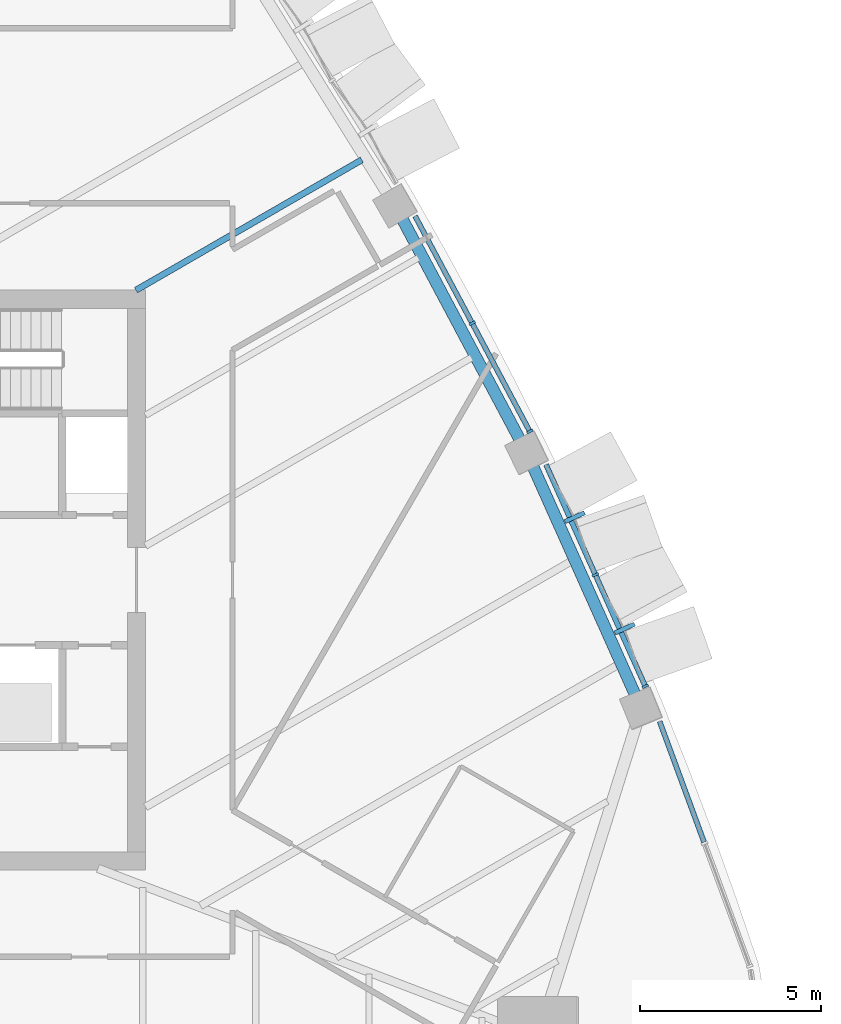
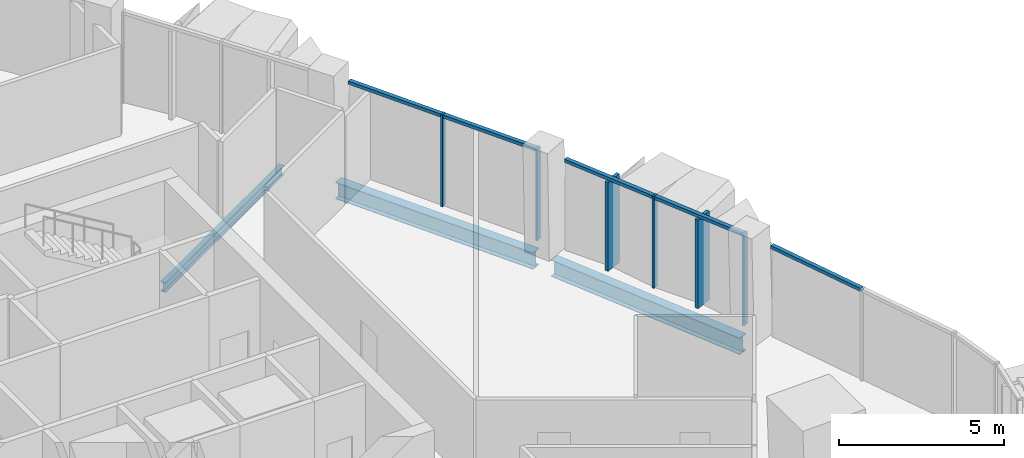
# One storey, part 5 of 18: 11 members, 3 beams, 3 elements without a shape of their own.
"""IFC4 building model written with IfcOpenShell, lengths in metres."""

from ifc_helpers import new_model, si_unit, direction, frame, origin, origin_2d, place, context, subcontext, project, spatial, rectangle, i_section, extrude, material, layer, layer_set, material_profile, profile_set, type_object, element, aggregate, save


model = new_model("IFC4")

# Units and contexts
model_context = context("Model", 3, precision=1e-05, world=origin(), true_north=direction((0.0, 1.0)))
body_context = subcontext(model_context, "Body", "Model", "MODEL_VIEW")
ifc_project = project(units=[si_unit("LENGTHUNIT", "METRE"), si_unit("AREAUNIT", "SQUARE_METRE"), si_unit("VOLUMEUNIT", "CUBIC_METRE"), si_unit("PLANEANGLEUNIT", "RADIAN"), si_unit("MASSUNIT", "GRAM", prefix="KILO")], contexts=[model_context])

# Site, building, storey
site_placement = place(None, origin())
site = spatial("IfcSite", under=ifc_project, at=site_placement, CompositionType="ELEMENT")
building_placement = place(site_placement, origin())
building = spatial("IfcBuilding", under=site, at=building_placement, Name="Sierra Prisma Convention Tower", CompositionType="ELEMENT")
storey_placement = place(building_placement, frame((0.0, 0.0, 247.0)))
storey = spatial("IfcBuildingStorey", under=building, at=storey_placement, Name="L55", CompositionType="ELEMENT", Elevation=247.0)

# Curtain wall, members
ifc_material_1 = material(Name="Aluminium and glass curtain wall", Category="aluminium")
ifc_layer_1 = layer(ifc_material_1, 0.179931640625)
ifc_layer_set_1 = layer_set([ifc_layer_1], Name="CW-2 Faceted crystal curtain wall")
curtain_wall_type_1 = type_object("IfcCurtainWallType", Name="CW-2 Faceted crystal curtain wall", PredefinedType="NOTDEFINED", material=ifc_layer_set_1)
curtain_wall_1_placement = place(storey_placement, origin())
curtain_wall_1 = element("IfcCurtainWall", 1, at=curtain_wall_1_placement, inside=storey, type_object=curtain_wall_type_1, Name="CW-2 NE2 L55", PredefinedType="NOTDEFINED")
ifc_material_2 = material(Name="Aluminium 6063-T6 bronze anodised", Category="aluminium")
ifc_material_profile_1 = material_profile(ifc_material_2, rectangle(XDim=0.1201171875, YDim=0.60009765625, at=origin_2d()), Name="ALU RIDGE BLADE 120x600")
ifc_profile_set_1 = profile_set([ifc_material_profile_1], Name="Aluminium 6063-T6 bronze anodised")
member_type_1 = type_object("IfcMemberType", Name="CW hip bronze", PredefinedType="MULLION", material=ifc_profile_set_1)
member_1_placement = place(storey_placement, frame((24.22216796875, -1.338623046875, 0.0), z_axis=(0.0, 0.0, 1.0), x_axis=(-0.408762397347, 0.912640839824, 0.0)))
member_1 = element("IfcMember", 2, at=member_1_placement, type_object=member_type_1, Name="CW-2 ridge NE2.1", PredefinedType="MULLION", context=body_context, shape_type="SweptSolid", body=[
    extrude(rectangle(XDim=0.1201171875, YDim=0.60009765625, at=origin_2d()), origin(), (0.0, 0.0, 1.0), 3.280029296875),
])
member_2_placement = place(storey_placement, frame((22.844970703125, 1.736083984375, 0.0), z_axis=(0.0, 0.0, 1.0), x_axis=(-0.408762397347, 0.912640839824, 0.0)))
member_2 = element("IfcMember", 3, at=member_2_placement, type_object=member_type_1, Name="CW-2 ridge NE2.2", PredefinedType="MULLION", context=body_context, shape_type="SweptSolid", body=[
    extrude(rectangle(XDim=0.1201171875, YDim=0.60009765625, at=origin_2d()), origin(), (0.0, 0.0, 1.0), 3.280029296875),
])
ifc_material_3 = material(Name="Aluminium 6063-T6 bronze anodised", Category="aluminium")
ifc_material_profile_2 = material_profile(ifc_material_3, rectangle(XDim=0.179931640625, YDim=0.070068359375, at=origin_2d()), Name="ALU MULLION 70x180")
ifc_profile_set_2 = profile_set([ifc_material_profile_2], Name="Aluminium 6063-T6 bronze anodised")
member_type_2 = type_object("IfcMemberType", Name="CW mullion bronze", PredefinedType="MULLION", material=ifc_profile_set_2)
member_3_placement = place(storey_placement, frame((24.792236328125, -2.92919921875, 0.0), z_axis=(0.0, 0.0, 1.0), x_axis=(-0.912640839824, -0.408762397347, 0.0)))
member_3 = element("IfcMember", 4, at=member_3_placement, type_object=member_type_2, Name="CW-1 mullion NE2.1", PredefinedType="MULLION", context=body_context, shape_type="SweptSolid", body=[
    extrude(rectangle(XDim=0.179931640625, YDim=0.070068359375, at=origin_2d()), origin(), (0.0, 0.0, 1.0), 3.39990234375),
])
member_4_placement = place(storey_placement, frame((23.4150390625, 0.145751953125, 0.0), z_axis=(0.0, 0.0, 1.0), x_axis=(-0.912640839824, -0.408762397347, 0.0)))
member_4 = element("IfcMember", 5, at=member_4_placement, type_object=member_type_2, Name="CW-1 mullion NE2.2", PredefinedType="MULLION", context=body_context, shape_type="SweptSolid", body=[
    extrude(rectangle(XDim=0.179931640625, YDim=0.070068359375, at=origin_2d()), origin(), (0.0, 0.0, 1.0), 3.39990234375),
])

ifc_material_4 = material(Name="Aluminium and glass curtain wall", Category="aluminium")
ifc_layer_2 = layer(ifc_material_4, 0.179931640625)
ifc_layer_set_2 = layer_set([ifc_layer_2], Name="CW-1 Plain shaft curtain wall")
curtain_wall_type_2 = type_object("IfcCurtainWallType", Name="CW-1 Plain shaft curtain wall", PredefinedType="NOTDEFINED", material=ifc_layer_set_2)
curtain_wall_2_placement = place(storey_placement, origin())
curtain_wall_2 = element("IfcCurtainWall", 6, at=curtain_wall_2_placement, inside=storey, type_object=curtain_wall_type_2, Name="CW-1 NE3 L55", PredefinedType="NOTDEFINED")
member_5_placement = place(storey_placement, frame((21.60595703125, 4.101806640625, 0.0), z_axis=(0.0, 0.0, 1.0), x_axis=(-0.882600167587, -0.470124392235, 0.0)))
member_5 = element("IfcMember", 7, at=member_5_placement, type_object=member_type_2, Name="CW-1 mullion NE3.1", PredefinedType="MULLION", context=body_context, shape_type="SweptSolid", body=[
    extrude(rectangle(XDim=0.179931640625, YDim=0.070068359375, at=origin_2d()), origin(), (0.0, 0.0, 1.0), 3.39990234375),
])
member_6_placement = place(storey_placement, frame((20.0146484375, 7.08935546875, 0.0), z_axis=(0.0, 0.0, 1.0), x_axis=(-0.882600167587, -0.470124392235, 0.0)))
member_6 = element("IfcMember", 8, at=member_6_placement, type_object=member_type_2, Name="CW-1 mullion NE3.2", PredefinedType="MULLION", context=body_context, shape_type="SweptSolid", body=[
    extrude(rectangle(XDim=0.179931640625, YDim=0.070068359375, at=origin_2d()), origin(), (0.0, 0.0, 1.0), 3.39990234375),
])

# Curtain wall, member
curtain_wall_3_placement = place(storey_placement, origin())
curtain_wall_3 = element("IfcCurtainWall", 9, at=curtain_wall_3_placement, inside=storey, type_object=curtain_wall_type_2, Name="CW-1 NE1 L55", PredefinedType="NOTDEFINED")
ifc_material_5 = material(Name="Aluminium 6063-T6 bronze anodised", Category="aluminium")
ifc_material_profile_3 = material_profile(ifc_material_5, rectangle(XDim=0.139892578125, YDim=0.1201171875, at=origin_2d()), Name="ALU TRANSOM 120x140")
ifc_profile_set_3 = profile_set([ifc_material_profile_3], Name="Aluminium 6063-T6 bronze anodised")
member_type_3 = type_object("IfcMemberType", Name="CW transom bronze", PredefinedType="USERDEFINED", material=ifc_profile_set_3)
member_7_placement = place(storey_placement, frame((26.4130859375, -7.2275390625, 3.340087890625), z_axis=(-0.345466067947, 0.938431241966, 0.0), x_axis=(-0.938431241966, -0.345466067947, 0.0)))
member_7 = element("IfcMember", 10, at=member_7_placement, type_object=member_type_3, Name="CW-1 transom NE1.2", ObjectType="TRANSOM", PredefinedType="USERDEFINED", context=body_context, shape_type="SweptSolid", body=[
    extrude(rectangle(XDim=0.139892578125, YDim=0.1201171875, at=origin_2d()), origin(), (0.0, 0.0, 1.0), 3.546142578125),
])
aggregate(curtain_wall_3, [member_7])

# Member
member_8_placement = place(storey_placement, frame((24.77783203125, -2.897216796875, 3.340087890625), z_axis=(-0.408711656955, 0.912663564228, 0.0), x_axis=(-0.912663564228, -0.408711656955, 0.0)))
member_8 = element("IfcMember", 11, at=member_8_placement, type_object=member_type_3, Name="CW-1 transom NE2.1", ObjectType="TRANSOM", PredefinedType="USERDEFINED", context=body_context, shape_type="SweptSolid", body=[
    extrude(rectangle(XDim=0.139892578125, YDim=0.1201171875, at=origin_2d()), origin(), (0.0, 0.0, 1.0), 3.299072265625),
])

member_9_placement = place(storey_placement, frame((23.400634765625, 0.177490234375, 3.340087890625), z_axis=(-0.408711656955, 0.912663564228, 0.0), x_axis=(-0.912663564228, -0.408711656955, 0.0)))
member_9 = element("IfcMember", 12, at=member_9_placement, type_object=member_type_3, Name="CW-1 transom NE2.2", ObjectType="TRANSOM", PredefinedType="USERDEFINED", context=body_context, shape_type="SweptSolid", body=[
    extrude(rectangle(XDim=0.139892578125, YDim=0.1201171875, at=origin_2d()), origin(), (0.0, 0.0, 1.0), 3.299072265625),
])

aggregate(curtain_wall_1, [member_3, member_4, member_8, member_1, member_9, member_2])

member_10_placement = place(storey_placement, frame((21.58935546875, 4.132568359375, 3.340087890625), z_axis=(-0.470072134447, 0.882628001151, 0.0), x_axis=(-0.882628001151, -0.470072134447, 0.0)))
member_10 = element("IfcMember", 13, at=member_10_placement, type_object=member_type_3, Name="CW-1 transom NE3.1", ObjectType="TRANSOM", PredefinedType="USERDEFINED", context=body_context, shape_type="SweptSolid", body=[
    extrude(rectangle(XDim=0.139892578125, YDim=0.1201171875, at=origin_2d()), origin(), (0.0, 0.0, 1.0), 3.315185546875),
])

member_11_placement = place(storey_placement, frame((19.998046875, 7.120361328125, 3.340087890625), z_axis=(-0.470102691122, 0.882611726525, 0.0), x_axis=(-0.882611726525, -0.470102691122, 0.0)))
member_11 = element("IfcMember", 14, at=member_11_placement, type_object=member_type_3, Name="CW-1 transom NE3.2", ObjectType="TRANSOM", PredefinedType="USERDEFINED", context=body_context, shape_type="SweptSolid", body=[
    extrude(rectangle(XDim=0.139892578125, YDim=0.1201171875, at=origin_2d()), origin(), (0.0, 0.0, 1.0), 3.31494140625),
])

aggregate(curtain_wall_2, [member_5, member_6, member_10, member_11])

# Beams
ifc_material_6 = material(Name="Steel ASTM A992 Gr 50", Category="steel")
ifc_material_profile_4 = material_profile(ifc_material_6, i_section(OverallWidth=0.172119140625, OverallDepth=0.35791015625, WebThickness=0.0078125, FlangeThickness=0.01318359375, at=origin_2d()), Name="W360x57")
ifc_profile_set_4 = profile_set([ifc_material_profile_4], Name="Steel ASTM A992 Gr 50")
beam_type_1 = type_object("IfcBeamType", Name="Floor joist W360x57", PredefinedType="JOIST", material=ifc_profile_set_4)
beam_1_placement = place(storey_placement, frame((16.96826171875, 11.598388671875, -0.3291015625), z_axis=(-0.866027974712, -0.499995546997, 0.0), x_axis=(0.499995546997, -0.866027974712, 0.0)))
element("IfcBeam", 15, at=beam_1_placement, inside=storey, type_object=beam_type_1, Name="Floor joist L55 NE08", PredefinedType="JOIST", context=body_context, shape_type="SweptSolid", body=[
    extrude(i_section(OverallWidth=0.172119140625, OverallDepth=0.35791015625, WebThickness=0.0078125, FlangeThickness=0.01318359375, at=origin_2d()), origin(), (0.0, 0.0, 1.0), 7.19677734375),
])
ifc_material_7 = material(Name="Steel ASTM A992 Gr 50", Category="steel")
ifc_material_profile_5 = material_profile(ifc_material_7, i_section(OverallWidth=0.324951171875, OverallDepth=0.615966796875, WebThickness=0.013916015625, FlangeThickness=0.021484375, at=origin_2d()), Name="W610x174")
ifc_profile_set_5 = profile_set([ifc_material_profile_5], Name="Steel ASTM A992 Gr 50")
beam_type_2 = type_object("IfcBeamType", Name="Spandrel beam W610x174", PredefinedType="BEAM", material=ifc_profile_set_5)
beam_2_placement = place(storey_placement, frame((24.54931640625, -3.242431640625, -0.4580078125), z_axis=(-0.408755351902, 0.912643995374, 0.0), x_axis=(-0.912643995374, -0.408755351902, 0.0)))
element("IfcBeam", 16, at=beam_2_placement, inside=storey, type_object=beam_type_2, Name="Spandrel L55-08", PredefinedType="BEAM", context=body_context, shape_type="SweptSolid", body=[
    extrude(i_section(OverallWidth=0.324951171875, OverallDepth=0.615966796875, WebThickness=0.013916015625, FlangeThickness=0.021484375, at=origin_2d()), origin(), (0.0, 0.0, 1.0), 7.067626953125),
])
beam_3_placement = place(storey_placement, frame((21.3701171875, 3.800537109375, -0.4580078125), z_axis=(-0.470125609743, 0.882599519071, 0.0), x_axis=(-0.882599519071, -0.470125609743, 0.0)))
element("IfcBeam", 17, at=beam_3_placement, inside=storey, type_object=beam_type_2, Name="Spandrel L55-09", PredefinedType="BEAM", context=body_context, shape_type="SweptSolid", body=[
    extrude(i_section(OverallWidth=0.324951171875, OverallDepth=0.615966796875, WebThickness=0.013916015625, FlangeThickness=0.021484375, at=origin_2d()), origin(), (0.0, 0.0, 1.0), 7.06787109375),
])

save(model, "model.ifc")
